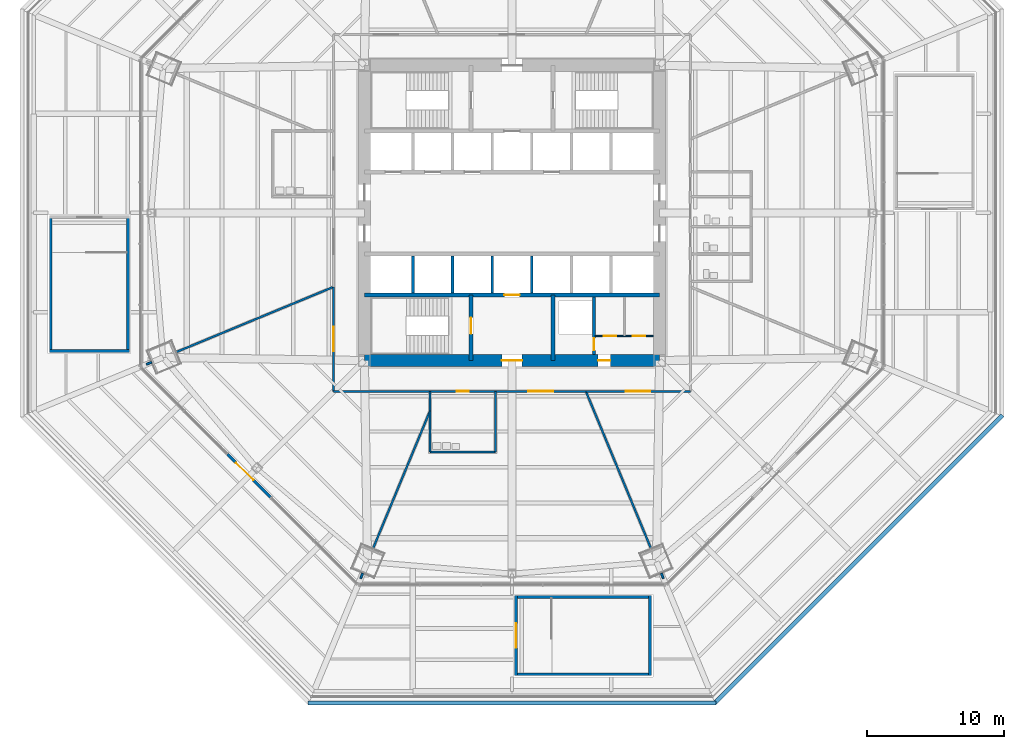
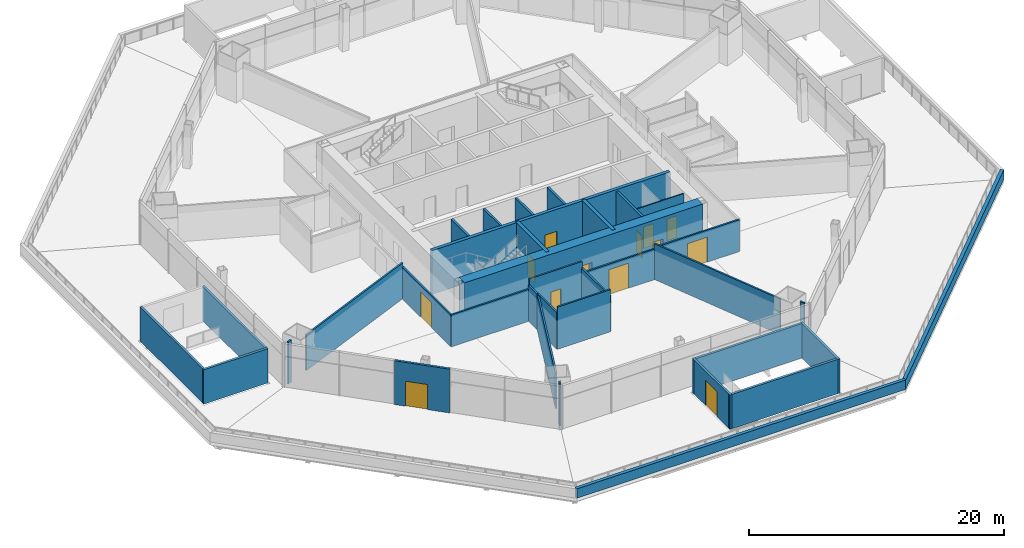
# One storey, part 15 of 25: 35 walls, 13 doors, 13 openings.
"""IFC4 building model written with IfcOpenShell, lengths in metres."""

from ifc_helpers import new_model, si_unit, direction, frame, frame_2d, origin, place, context, subcontext, project, spatial, rectangle, extrude, material, layer, layer_set, type_object, element, fill, save


model = new_model("IFC4")

# Units and contexts
model_context = context("Model", 3, precision=1e-05, world=origin(), true_north=direction((0.0, 1.0)))
body_context = subcontext(model_context, "Body", "Model", "MODEL_VIEW")
ifc_project = project(units=[si_unit("LENGTHUNIT", "METRE"), si_unit("AREAUNIT", "SQUARE_METRE"), si_unit("VOLUMEUNIT", "CUBIC_METRE"), si_unit("PLANEANGLEUNIT", "RADIAN"), si_unit("MASSUNIT", "GRAM", prefix="KILO")], contexts=[model_context])

# Site, building, storey
site_placement = place(None, origin())
site = spatial("IfcSite", under=ifc_project, at=site_placement, CompositionType="ELEMENT")
building_placement = place(site_placement, origin())
building = spatial("IfcBuilding", under=site, at=building_placement, Name="Mashrafa Tower", CompositionType="ELEMENT")
storey_placement = place(building_placement, frame((0.0, 0.0, 28.800048828125)))
storey = spatial("IfcBuildingStorey", under=building, at=storey_placement, Name="L05", CompositionType="ELEMENT", Elevation=28.800048828125)

# Wall, opening, door
ifc_material_1 = material(Name="Concrete masonry unit", Category="masonry")
ifc_layer_1 = layer(ifc_material_1, 0.199951171875)
ifc_layer_set_1 = layer_set([ifc_layer_1], Name="Blockwork wall 200 2 hr")
wall_type_1 = type_object("IfcWallType", Name="Blockwork wall 200 2 hr", PredefinedType="PARTITIONING", material=ifc_layer_set_1)
wall_1_placement = place(storey_placement, frame((6.0, -10.35009765625, 0.0), z_axis=(0.0, 0.0, 1.0), x_axis=(0.0, 1.0, 0.0)))
wall_1 = element("IfcWall", 1, at=wall_1_placement, inside=storey, type_object=wall_type_1, Name="Riser enclosure wall L05", PredefinedType="PARTITIONING", context=body_context, shape_type="SweptSolid", body=[
    extrude(rectangle(XDim=4.2001953125, YDim=0.199951171875, at=frame_2d((2.10009765625, 0.0))), origin(), (0.0, 0.0, 1.0), 4.034912109375),
])
opening_1_placement = place(wall_1_placement, frame((0.300048828125, 0.0, 0.0)))
opening_1 = element("IfcOpeningElement", 2, at=opening_1_placement, cuts=wall_1, Name="Opening 05.025", PredefinedType="OPENING", context=body_context, shape_type="SweptSolid", body=[
    extrude(rectangle(XDim=0.89990234375, YDim=2.10009765625, at=frame_2d((0.449951171875, 1.050048828125))), frame((0.0, 0.10986328125, 0.0), z_axis=(0.0, -1.0, 0.0), x_axis=(1.0, 0.0, 0.0)), (0.0, 0.0, 1.0), 0.219970703125),
])
ifc_material_2 = material(Name="Steel door", Category="steel")
door_type_1 = type_object("IfcDoorType", Name="Service door 900 x 2100 90 min", OperationType="USERDEFINED", PredefinedType="DOOR", material=ifc_material_2)
door_1_placement = place(opening_1_placement, origin())
door_1 = element("IfcDoor", 3, at=door_1_placement, inside=storey, type_object=door_type_1, Name="Riser door L05", OperationType="SINGLE_SWING_LEFT", OverallHeight=2.10009765625, OverallWidth=0.89990234375, PredefinedType="DOOR", context=body_context, shape_type="SweptSolid", body=[
    extrude(rectangle(XDim=0.89990234375, YDim=2.10009765625, at=frame_2d((0.449951171875, 1.050048828125))), frame((0.0, 0.02490234375, 0.0), z_axis=(0.0, -1.0, 0.0), x_axis=(1.0, 0.0, 0.0)), (0.0, 0.0, 1.0), 0.050048828125),
])
fill(opening_1, door_1)

ifc_material_3 = material(Name="Concrete C60/75", Category="concrete")
ifc_layer_2 = layer(ifc_material_3, 0.300048828125)
ifc_layer_set_2 = layer_set([ifc_layer_2], Name="Core wall 300 C60/75")
wall_type_2 = type_object("IfcWallType", Name="Core wall 300 C60/75", PredefinedType="SOLIDWALL", material=ifc_layer_set_2)
wall_2_placement = place(storey_placement, frame((-10.800048828125, -6.0, 0.0), z_axis=(0.0, 0.0, 1.0), x_axis=(1.0, 0.0, 0.0)))
wall_2 = element("IfcWall", 4, at=wall_2_placement, inside=storey, type_object=wall_type_2, Name="Core wall CB-S L05", PredefinedType="SOLIDWALL", context=body_context, shape_type="SweptSolid", body=[
    extrude(rectangle(XDim=21.60009765625, YDim=0.300048828125, at=frame_2d((10.800048828125, 0.0))), origin(), (0.0, 0.0, 1.0), 4.199951171875),
])
opening_2_placement = place(wall_2_placement, frame((10.25, 0.0, 0.0)))
opening_2 = element("IfcOpeningElement", 5, at=opening_2_placement, cuts=wall_2, Name="Opening 05.F2", PredefinedType="OPENING", context=body_context, shape_type="SweptSolid", body=[
    extrude(rectangle(XDim=1.10009765625, YDim=2.10009765625, at=frame_2d((0.550048828125, 1.050048828125))), frame((0.0, 0.159912109375, 0.0), z_axis=(0.0, -1.0, 0.0), x_axis=(1.0, 0.0, 0.0)), (0.0, 0.0, 1.0), 0.320068359375),
])
ifc_material_4 = material(Name="Steel door", Category="steel")
door_type_2 = type_object("IfcDoorType", Name="Lift landing door 1100 x 2100 90 min", OperationType="DOUBLE_DOOR_SLIDING", PredefinedType="DOOR", material=ifc_material_4)
door_2_placement = place(opening_2_placement, origin())
door_2 = element("IfcDoor", 6, at=door_2_placement, inside=storey, type_object=door_type_2, Name="Lift landing door F2 L05", OperationType="DOUBLE_DOOR_SLIDING", OverallHeight=2.10009765625, OverallWidth=1.10009765625, PredefinedType="DOOR", context=body_context, shape_type="SweptSolid", body=[
    extrude(rectangle(XDim=1.10009765625, YDim=2.10009765625, at=frame_2d((0.550048828125, 1.050048828125))), frame((0.0, 0.02490234375, 0.0), z_axis=(0.0, -1.0, 0.0), x_axis=(1.0, 0.0, 0.0)), (0.0, 0.0, 1.0), 0.050048828125),
])
fill(opening_2, door_2)

wall_3_placement = place(storey_placement, frame((-3.0, -6.0, 0.0), z_axis=(0.0, 0.0, 1.0), x_axis=(0.0, -1.0, 0.0)))
wall_3 = element("IfcWall", 7, at=wall_3_placement, inside=storey, type_object=wall_type_2, Name="Core wall CX-SW L05", PredefinedType="SOLIDWALL", context=body_context, shape_type="SweptSolid", body=[
    extrude(rectangle(XDim=4.800048828125, YDim=0.300048828125, at=frame_2d((2.39990234375, 0.0))), origin(), (0.0, 0.0, 1.0), 4.199951171875),
])
opening_3_placement = place(wall_3_placement, frame((1.64990234375, 0.0, 0.0)))
opening_3 = element("IfcOpeningElement", 8, at=opening_3_placement, cuts=wall_3, Name="Opening 05.023", PredefinedType="OPENING", context=body_context, shape_type="SweptSolid", body=[
    extrude(rectangle(XDim=1.199951171875, YDim=2.10009765625, at=frame_2d((0.60009765625, 1.050048828125))), frame((0.0, 0.159912109375, 0.0), z_axis=(0.0, -1.0, 0.0), x_axis=(1.0, 0.0, 0.0)), (0.0, 0.0, 1.0), 0.320068359375),
])
ifc_material_5 = material(Name="Steel door", Category="steel")
door_type_3 = type_object("IfcDoorType", Name="Stair door 1200 x 2100 90 min", OperationType="USERDEFINED", PredefinedType="DOOR", material=ifc_material_5)
door_3_placement = place(opening_3_placement, frame((1.199951171875, 0.0, 0.0), z_axis=(0.0, 0.0, 1.0), x_axis=(-1.0, 0.0, 0.0)))
door_3 = element("IfcDoor", 9, at=door_3_placement, inside=storey, type_object=door_type_3, Name="Stair S3 door L05", OperationType="SINGLE_SWING_RIGHT", OverallHeight=2.10009765625, OverallWidth=1.199951171875, PredefinedType="DOOR", context=body_context, shape_type="SweptSolid", body=[
    extrude(rectangle(XDim=1.199951171875, YDim=2.10009765625, at=frame_2d((0.60009765625, 1.050048828125))), frame((0.0, 0.02490234375, 0.0), z_axis=(0.0, -1.0, 0.0), x_axis=(1.0, 0.0, 0.0)), (0.0, 0.0, 1.0), 0.050048828125),
])
fill(opening_3, door_3)

# Wall
wall_4_placement = place(storey_placement, frame((3.0, -6.0, 0.0), z_axis=(0.0, 0.0, 1.0), x_axis=(0.0, -1.0, 0.0)))
element("IfcWall", 10, at=wall_4_placement, inside=storey, type_object=wall_type_2, Name="Core wall CX-SE L05", PredefinedType="SOLIDWALL", context=body_context, shape_type="SweptSolid", body=[
    extrude(rectangle(XDim=4.800048828125, YDim=0.300048828125, at=frame_2d((2.39990234375, 0.0))), origin(), (0.0, 0.0, 1.0), 4.199951171875),
])

# Wall, openings, doors
ifc_material_6 = material(Name="Concrete C60/75", Category="concrete")
ifc_layer_3 = layer(ifc_material_6, 0.89990234375)
ifc_layer_set_3 = layer_set([ifc_layer_3], Name="Core wall 900 C60/75")
wall_type_3 = type_object("IfcWallType", Name="Core wall 900 C60/75", PredefinedType="SOLIDWALL", material=ifc_layer_set_3)
wall_5_placement = place(storey_placement, frame((-10.800048828125, -10.800048828125, 0.0), z_axis=(0.0, 0.0, 1.0), x_axis=(1.0, 0.0, 0.0)))
wall_5 = element("IfcWall", 11, at=wall_5_placement, inside=storey, type_object=wall_type_3, Name="Core wall CW-S L05", PredefinedType="SOLIDWALL", context=body_context, shape_type="SweptSolid", body=[
    extrude(rectangle(XDim=21.60009765625, YDim=0.89990234375, at=frame_2d((10.800048828125, 0.0))), origin(), (0.0, 0.0, 1.0), 4.199951171875),
])
opening_4_placement = place(wall_5_placement, frame((10.050048828125, 0.0, 0.0)))
opening_4 = element("IfcOpeningElement", 12, at=opening_4_placement, cuts=wall_5, Name="Opening 05.020", PredefinedType="OPENING", context=body_context, shape_type="SweptSolid", body=[
    extrude(rectangle(XDim=1.5, YDim=2.10009765625, at=frame_2d((0.75, 1.050048828125))), frame((0.0, 0.4599609375, 0.0), z_axis=(0.0, -1.0, 0.0), x_axis=(1.0, 0.0, 0.0)), (0.0, 0.0, 1.0), 0.919921875),
])
opening_5_placement = place(wall_5_placement, frame((17.10009765625, 0.0, 0.0)))
opening_5 = element("IfcOpeningElement", 13, at=opening_5_placement, cuts=wall_5, Name="Opening 05.024", PredefinedType="OPENING", context=body_context, shape_type="SweptSolid", body=[
    extrude(rectangle(XDim=0.89990234375, YDim=2.10009765625, at=frame_2d((0.449951171875, 1.050048828125))), frame((0.0, 0.4599609375, 0.0), z_axis=(0.0, -1.0, 0.0), x_axis=(1.0, 0.0, 0.0)), (0.0, 0.0, 1.0), 0.919921875),
])
ifc_material_7 = material(Name="Steel door", Category="steel")
door_type_4 = type_object("IfcDoorType", Name="Lobby door pair 1500 x 2100 90 min", OperationType="DOUBLE_DOOR_SINGLE_SWING", PredefinedType="DOOR", material=ifc_material_7)
door_4_placement = place(opening_4_placement, origin())
door_4 = element("IfcDoor", 14, at=door_4_placement, inside=storey, type_object=door_type_4, Name="Fire-fighting lobby F2 door L05", OperationType="DOUBLE_DOOR_SINGLE_SWING", OverallHeight=2.10009765625, OverallWidth=1.5, PredefinedType="DOOR", context=body_context, shape_type="SweptSolid", body=[
    extrude(rectangle(XDim=1.5, YDim=2.10009765625, at=frame_2d((0.75, 1.050048828125))), frame((0.0, 0.02490234375, 0.0), z_axis=(0.0, -1.0, 0.0), x_axis=(1.0, 0.0, 0.0)), (0.0, 0.0, 1.0), 0.050048828125),
])
fill(opening_4, door_4)
door_5_placement = place(opening_5_placement, frame((0.89990234375, 0.0, 0.0), z_axis=(0.0, 0.0, 1.0), x_axis=(-1.0, 0.0, 0.0)))
door_5 = element("IfcDoor", 15, at=door_5_placement, inside=storey, type_object=door_type_1, Name="Services Lobby L05 door", OperationType="SINGLE_SWING_LEFT", OverallHeight=2.10009765625, OverallWidth=0.89990234375, PredefinedType="DOOR", context=body_context, shape_type="SweptSolid", body=[
    extrude(rectangle(XDim=0.89990234375, YDim=2.10009765625, at=frame_2d((0.449951171875, 1.050048828125))), frame((0.0, 0.02490234375, 0.0), z_axis=(0.0, -1.0, 0.0), x_axis=(1.0, 0.0, 0.0)), (0.0, 0.0, 1.0), 0.050048828125),
])
fill(opening_5, door_5)

# Wall, opening, door
ifc_material_8 = material(Name="Gypsum board on steel studs", Category="steel")
ifc_layer_4 = layer(ifc_material_8, 0.14990234375)
ifc_layer_set_4 = layer_set([ifc_layer_4], Name="Corridor partition 150 1 hr")
wall_type_4 = type_object("IfcWallType", Name="Corridor partition 150 1 hr", PredefinedType="PARTITIONING", material=ifc_layer_set_4)
wall_6_placement = place(storey_placement, frame((-1.199951171875, -13.050048828125, 0.0), z_axis=(0.0, 0.0, 1.0), x_axis=(-1.0, 0.0, 0.0)))
wall_6 = element("IfcWall", 16, at=wall_6_placement, inside=storey, type_object=wall_type_4, Name="Corridor wall L05-019", PredefinedType="PARTITIONING", context=body_context, shape_type="SweptSolid", body=[
    extrude(rectangle(XDim=4.800048828125, YDim=0.14990234375, at=frame_2d((2.39990234375, 0.0))), origin(), (0.0, 0.0, 1.0), 4.034912109375),
])
opening_6_placement = place(wall_6_placement, frame((1.949951171875, 0.0, 0.0)))
opening_6 = element("IfcOpeningElement", 17, at=opening_6_placement, cuts=wall_6, Name="Opening 05.006", PredefinedType="OPENING", context=body_context, shape_type="SweptSolid", body=[
    extrude(rectangle(XDim=0.89990234375, YDim=2.10009765625, at=frame_2d((0.449951171875, 1.050048828125))), frame((0.0, 0.0849609375, 0.0), z_axis=(0.0, -1.0, 0.0), x_axis=(1.0, 0.0, 0.0)), (0.0, 0.0, 1.0), 0.169921875),
])
ifc_material_9 = material(Name="Timber door", Category="wood")
door_type_5 = type_object("IfcDoorType", Name="Toilet door 900 x 2100", OperationType="USERDEFINED", PredefinedType="DOOR", material=ifc_material_9)
door_6_placement = place(opening_6_placement, origin())
door_6 = element("IfcDoor", 18, at=door_6_placement, inside=storey, type_object=door_type_5, Name="Ablution Room Women L05 door", OperationType="SINGLE_SWING_LEFT", OverallHeight=2.10009765625, OverallWidth=0.89990234375, PredefinedType="DOOR", context=body_context, shape_type="SweptSolid", body=[
    extrude(rectangle(XDim=0.89990234375, YDim=2.10009765625, at=frame_2d((0.449951171875, 1.050048828125))), frame((0.0, 0.02490234375, 0.0), z_axis=(0.0, -1.0, 0.0), x_axis=(1.0, 0.0, 0.0)), (0.0, 0.0, 1.0), 0.050048828125),
])
fill(opening_6, door_6)

wall_7_placement = place(storey_placement, frame((-1.200927734375, -13.050048828125, 0.0), z_axis=(0.0, 0.0, 1.0), x_axis=(1.0, 0.0, 0.0)))
wall_7 = element("IfcWall", 19, at=wall_7_placement, inside=storey, type_object=wall_type_4, Name="Corridor wall L05-025", PredefinedType="PARTITIONING", context=body_context, shape_type="SweptSolid", body=[
    extrude(rectangle(XDim=6.607421875, YDim=0.14990234375, at=frame_2d((3.3037109375, 0.0))), origin(), (0.0, 0.0, 1.0), 2.925048828125),
])
opening_7_placement = place(wall_7_placement, frame((2.40380859375, 0.0, 0.0)))
opening_7 = element("IfcOpeningElement", 20, at=opening_7_placement, cuts=wall_7, Name="Opening 05.008", PredefinedType="OPENING", context=body_context, shape_type="SweptSolid", body=[
    extrude(rectangle(XDim=1.800048828125, YDim=2.39990234375, at=frame_2d((0.89990234375, 1.199951171875))), frame((0.0, 0.0849609375, 0.0), z_axis=(0.0, -1.0, 0.0), x_axis=(1.0, 0.0, 0.0)), (0.0, 0.0, 1.0), 0.169921875),
])
ifc_material_10 = material(Name="Timber door", Category="wood")
door_type_6 = type_object("IfcDoorType", Name="Door pair 1800 x 2400", OperationType="DOUBLE_DOOR_SINGLE_SWING", PredefinedType="DOOR", material=ifc_material_10)
door_7_placement = place(opening_7_placement, origin())
door_7 = element("IfcDoor", 21, at=door_7_placement, inside=storey, type_object=door_type_6, Name="Prayer Room Women L05 door", OperationType="DOUBLE_DOOR_SINGLE_SWING", OverallHeight=2.39990234375, OverallWidth=1.800048828125, PredefinedType="DOOR", context=body_context, shape_type="SweptSolid", body=[
    extrude(rectangle(XDim=1.800048828125, YDim=2.39990234375, at=frame_2d((0.89990234375, 1.199951171875))), frame((0.0, 0.02490234375, 0.0), z_axis=(0.0, -1.0, 0.0), x_axis=(1.0, 0.0, 0.0)), (0.0, 0.0, 1.0), 0.050048828125),
])
fill(opening_7, door_7)

wall_8_placement = place(storey_placement, frame((-13.050048828125, -5.404296875, 0.0), z_axis=(0.0, 0.0, 1.0), x_axis=(0.0, -1.0, 0.0)))
wall_8 = element("IfcWall", 22, at=wall_8_placement, inside=storey, type_object=wall_type_4, Name="Corridor wall L05-033", PredefinedType="PARTITIONING", context=body_context, shape_type="SweptSolid", body=[
    extrude(rectangle(XDim=7.645751953125, YDim=0.14990234375, at=frame_2d((3.82275390625, 0.0))), origin(), (0.0, 0.0, 1.0), 3.06494140625),
])
opening_8_placement = place(wall_8_placement, frame((2.9228515625, 0.0, 0.0)))
opening_8 = element("IfcOpeningElement", 23, at=opening_8_placement, cuts=wall_8, Name="Opening 05.013", PredefinedType="OPENING", context=body_context, shape_type="SweptSolid", body=[
    extrude(rectangle(XDim=1.800048828125, YDim=2.39990234375, at=frame_2d((0.89990234375, 1.199951171875))), frame((0.0, 0.0849609375, 0.0), z_axis=(0.0, -1.0, 0.0), x_axis=(1.0, 0.0, 0.0)), (0.0, 0.0, 1.0), 0.169921875),
])
door_8_placement = place(opening_8_placement, frame((1.800048828125, 0.0, 0.0), z_axis=(0.0, 0.0, 1.0), x_axis=(-1.0, 0.0, 0.0)))
door_8 = element("IfcDoor", 24, at=door_8_placement, inside=storey, type_object=door_type_6, Name="Winter Garden Reading Room South-West L05 door", OperationType="DOUBLE_DOOR_SINGLE_SWING", OverallHeight=2.39990234375, OverallWidth=1.800048828125, PredefinedType="DOOR", context=body_context, shape_type="SweptSolid", body=[
    extrude(rectangle(XDim=1.800048828125, YDim=2.39990234375, at=frame_2d((0.89990234375, 1.199951171875))), frame((0.0, 0.02490234375, 0.0), z_axis=(0.0, -1.0, 0.0), x_axis=(1.0, 0.0, 0.0)), (0.0, 0.0, 1.0), 0.050048828125),
])
fill(opening_8, door_8)

# Wall
wall_9_placement = place(storey_placement, frame((-13.050048828125, -13.050048828125, 0.0), z_axis=(0.0, 0.0, 1.0), x_axis=(1.0, 0.0, 0.0)))
element("IfcWall", 25, at=wall_9_placement, inside=storey, type_object=wall_type_4, Name="Corridor wall L05-034", PredefinedType="PARTITIONING", context=body_context, shape_type="SweptSolid", body=[
    extrude(rectangle(XDim=7.051025390625, YDim=0.14990234375, at=frame_2d((3.525390625, 0.0))), origin(), (0.0, 0.0, 1.0), 3.06494140625),
])

# Wall, opening, door
wall_10_placement = place(storey_placement, frame((5.404296875, -13.050048828125, 0.0), z_axis=(0.0, 0.0, 1.0), x_axis=(1.0, 0.0, 0.0)))
wall_10 = element("IfcWall", 26, at=wall_10_placement, inside=storey, type_object=wall_type_4, Name="Corridor wall L05-035", PredefinedType="PARTITIONING", context=body_context, shape_type="SweptSolid", body=[
    extrude(rectangle(XDim=7.645751953125, YDim=0.14990234375, at=frame_2d((3.82275390625, 0.0))), origin(), (0.0, 0.0, 1.0), 3.06494140625),
])
opening_9_placement = place(wall_10_placement, frame((2.9228515625, 0.0, 0.0)))
opening_9 = element("IfcOpeningElement", 27, at=opening_9_placement, cuts=wall_10, Name="Opening 05.014", PredefinedType="OPENING", context=body_context, shape_type="SweptSolid", body=[
    extrude(rectangle(XDim=1.800048828125, YDim=2.39990234375, at=frame_2d((0.89990234375, 1.199951171875))), frame((0.0, 0.0849609375, 0.0), z_axis=(0.0, -1.0, 0.0), x_axis=(1.0, 0.0, 0.0)), (0.0, 0.0, 1.0), 0.169921875),
])
door_9_placement = place(opening_9_placement, frame((1.800048828125, 0.0, 0.0), z_axis=(0.0, 0.0, 1.0), x_axis=(-1.0, 0.0, 0.0)))
door_9 = element("IfcDoor", 28, at=door_9_placement, inside=storey, type_object=door_type_6, Name="Winter Garden Reading Room South-East L05 door", OperationType="DOUBLE_DOOR_SINGLE_SWING", OverallHeight=2.39990234375, OverallWidth=1.800048828125, PredefinedType="DOOR", context=body_context, shape_type="SweptSolid", body=[
    extrude(rectangle(XDim=1.800048828125, YDim=2.39990234375, at=frame_2d((0.89990234375, 1.199951171875))), frame((0.0, 0.02490234375, 0.0), z_axis=(0.0, -1.0, 0.0), x_axis=(1.0, 0.0, 0.0)), (0.0, 0.0, 1.0), 0.050048828125),
])
fill(opening_9, door_9)

ifc_material_11 = material(Name="Bronze-framed glazed screen")
ifc_layer_5 = layer(ifc_material_11, 0.199951171875)
ifc_layer_set_5 = layer_set([ifc_layer_5], Name="Glazed door screen 200")
wall_type_5 = type_object("IfcWallType", Name="Glazed door screen 200", PredefinedType="SOLIDWALL", material=ifc_layer_set_5)
wall_11_placement = place(storey_placement, frame((-20.81787109375, -17.648681640625, 0.0), z_axis=(0.0, 0.0, 1.0), x_axis=(0.707106781187, -0.707106781187, 0.0)))
wall_11 = element("IfcWall", 29, at=wall_11_placement, inside=storey, type_object=wall_type_5, Name="Glazed garden door screen L05 south-west", PredefinedType="SOLIDWALL", context=body_context, shape_type="SweptSolid", body=[
    extrude(rectangle(XDim=4.48193359375, YDim=0.199951171875, at=frame_2d((2.240966796875, 0.0))), origin(), (0.0, 0.0, 1.0), 4.199951171875),
])
opening_10_placement = place(wall_11_placement, frame((0.89111328125, 0.0, 0.0)))
opening_10 = element("IfcOpeningElement", 30, at=opening_10_placement, cuts=wall_11, Name="Opening ED4", PredefinedType="OPENING", context=body_context, shape_type="SweptSolid", body=[
    extrude(rectangle(XDim=1.800048828125, YDim=2.39990234375, at=frame_2d((0.89990234375, 1.199951171875))), frame((0.0, 0.10986328125, 0.0), z_axis=(0.0, -1.0, 0.0), x_axis=(1.0, 0.0, 0.0)), (0.0, 0.0, 1.0), 0.219970703125),
])
ifc_material_12 = material(Name="Aluminium-framed glazed door", Category="aluminium")
door_type_7 = type_object("IfcDoorType", Name="Garden door pair 1800 x 2400", OperationType="DOUBLE_DOOR_SINGLE_SWING", PredefinedType="DOOR", material=ifc_material_12)
door_10_placement = place(opening_10_placement, origin())
door_10 = element("IfcDoor", 31, at=door_10_placement, inside=storey, type_object=door_type_7, Name="Garden door L05 south-west", OperationType="SINGLE_SWING_LEFT", OverallHeight=2.39990234375, OverallWidth=1.800048828125, PredefinedType="DOOR", context=body_context, shape_type="SweptSolid", body=[
    extrude(rectangle(XDim=1.800048828125, YDim=2.39990234375, at=frame_2d((0.89990234375, 1.199951171875))), frame((0.0, 0.02490234375, 0.0), z_axis=(0.0, -1.0, 0.0), x_axis=(1.0, 0.0, 0.0)), (0.0, 0.0, 1.0), 0.050048828125),
])
fill(opening_10, door_10)

# Walls
ifc_material_13 = material(Name="Limestone-clad parapet", Category="masonry")
ifc_layer_6 = layer(ifc_material_13, 0.300048828125)
ifc_layer_set_6 = layer_set([ifc_layer_6], Name="Limestone parapet 300")
wall_type_6 = type_object("IfcWallType", Name="Limestone parapet 300", PredefinedType="PARAPET", material=ifc_layer_set_6)
wall_12_placement = place(storey_placement, frame((-14.91162109375, -35.85009765625, 0.0), z_axis=(0.0, 0.0, 1.0), x_axis=(1.0, 0.0, 0.0)))
element("IfcWall", 32, at=wall_12_placement, inside=storey, type_object=wall_type_6, Name="Parapet L05 south", PredefinedType="PARAPET", context=body_context, shape_type="SweptSolid", body=[
    extrude(rectangle(XDim=29.8232421875, YDim=0.300048828125, at=frame_2d((14.91162109375, 0.0))), origin(), (0.0, 0.0, 1.0), 0.89990234375),
])
wall_13_placement = place(storey_placement, frame((14.8056640625, -35.89404296875, 0.0), z_axis=(0.0, 0.0, 1.0), x_axis=(0.707106781187, 0.707106781187, 0.0)))
element("IfcWall", 33, at=wall_13_placement, inside=storey, type_object=wall_type_6, Name="Parapet L05 south-east", PredefinedType="PARAPET", context=body_context, shape_type="SweptSolid", body=[
    extrude(rectangle(XDim=29.823486328125, YDim=0.300048828125, at=frame_2d((14.91162109375, 0.0))), origin(), (0.0, 0.0, 1.0), 0.89990234375),
])

# Wall, openings, doors
ifc_material_14 = material(Name="Gypsum board on steel studs", Category="steel")
ifc_layer_7 = layer(ifc_material_14, 0.10009765625)
ifc_layer_set_7 = layer_set([ifc_layer_7], Name="Partition 100 1 hr")
wall_type_7 = type_object("IfcWallType", Name="Partition 100 1 hr", PredefinedType="PARTITIONING", material=ifc_layer_set_7)
wall_14_placement = place(storey_placement, frame((6.10009765625, -9.0, 0.0), z_axis=(0.0, 0.0, 1.0), x_axis=(1.0, 0.0, 0.0)))
wall_14 = element("IfcWall", 34, at=wall_14_placement, inside=storey, type_object=wall_type_7, Name="Services lobby partition A L05", PredefinedType="PARTITIONING", context=body_context, shape_type="SweptSolid", body=[
    extrude(rectangle(XDim=4.25, YDim=0.10009765625, at=frame_2d((2.125, 0.0))), origin(), (0.0, 0.0, 1.0), 4.034912109375),
])
opening_11_placement = place(wall_14_placement, frame((0.612548828125, 0.0, 0.0)))
opening_11 = element("IfcOpeningElement", 35, at=opening_11_placement, cuts=wall_14, Name="Opening 05.026", PredefinedType="OPENING", context=body_context, shape_type="SweptSolid", body=[
    extrude(rectangle(XDim=0.89990234375, YDim=2.10009765625, at=frame_2d((0.449951171875, 1.050048828125))), frame((0.0, 0.06005859375, 0.0), z_axis=(0.0, -1.0, 0.0), x_axis=(1.0, 0.0, 0.0)), (0.0, 0.0, 1.0), 0.1201171875),
])
opening_12_placement = place(wall_14_placement, frame((2.737548828125, 0.0, 0.0)))
opening_12 = element("IfcOpeningElement", 36, at=opening_12_placement, cuts=wall_14, Name="Opening 05.027", PredefinedType="OPENING", context=body_context, shape_type="SweptSolid", body=[
    extrude(rectangle(XDim=0.89990234375, YDim=2.10009765625, at=frame_2d((0.449951171875, 1.050048828125))), frame((0.0, 0.06005859375, 0.0), z_axis=(0.0, -1.0, 0.0), x_axis=(1.0, 0.0, 0.0)), (0.0, 0.0, 1.0), 0.1201171875),
])
ifc_material_15 = material(Name="Timber door", Category="wood")
door_type_8 = type_object("IfcDoorType", Name="Store door 900 x 2100", OperationType="USERDEFINED", PredefinedType="DOOR", material=ifc_material_15)
door_11_placement = place(opening_11_placement, origin())
door_11 = element("IfcDoor", 37, at=door_11_placement, inside=storey, type_object=door_type_8, Name="Fitness Equipment Store L05 door", OperationType="SINGLE_SWING_RIGHT", OverallHeight=2.10009765625, OverallWidth=0.89990234375, PredefinedType="DOOR", context=body_context, shape_type="SweptSolid", body=[
    extrude(rectangle(XDim=0.89990234375, YDim=2.10009765625, at=frame_2d((0.449951171875, 1.050048828125))), frame((0.0, 0.02490234375, 0.0), z_axis=(0.0, -1.0, 0.0), x_axis=(1.0, 0.0, 0.0)), (0.0, 0.0, 1.0), 0.050048828125),
])
fill(opening_11, door_11)
door_12_placement = place(opening_12_placement, origin())
door_12 = element("IfcDoor", 38, at=door_12_placement, inside=storey, type_object=door_type_8, Name="Building Services Store L05 door", OperationType="SINGLE_SWING_LEFT", OverallHeight=2.10009765625, OverallWidth=0.89990234375, PredefinedType="DOOR", context=body_context, shape_type="SweptSolid", body=[
    extrude(rectangle(XDim=0.89990234375, YDim=2.10009765625, at=frame_2d((0.449951171875, 1.050048828125))), frame((0.0, 0.02490234375, 0.0), z_axis=(0.0, -1.0, 0.0), x_axis=(1.0, 0.0, 0.0)), (0.0, 0.0, 1.0), 0.050048828125),
])
fill(opening_12, door_12)

# Walls
ifc_material_16 = material(Name="Gypsum board on steel studs", Category="steel")
ifc_layer_8 = layer(ifc_material_16, 0.14990234375)
ifc_layer_set_8 = layer_set([ifc_layer_8], Name="Partition 150")
wall_type_8 = type_object("IfcWallType", Name="Partition 150", PredefinedType="PARTITIONING", material=ifc_layer_set_8)
wall_15_placement = place(storey_placement, frame((-6.0, -14.482666015625, 0.0), z_axis=(0.0, 0.0, 1.0), x_axis=(0.0, -1.0, 0.0)))
element("IfcWall", 39, at=wall_15_placement, inside=storey, type_object=wall_type_8, Name="Partition wall L05-020", PredefinedType="PARTITIONING", context=body_context, shape_type="SweptSolid", body=[
    extrude(rectangle(XDim=3.017333984375, YDim=0.14990234375, at=frame_2d((1.5087890625, 0.0))), origin(), (0.0, 0.0, 1.0), 3.49658203125),
])
wall_16_placement = place(storey_placement, frame((-6.0, -17.5, 0.0), z_axis=(0.0, 0.0, 1.0), x_axis=(1.0, 0.0, 0.0)))
element("IfcWall", 40, at=wall_16_placement, inside=storey, type_object=wall_type_8, Name="Partition wall L05-021", PredefinedType="PARTITIONING", context=body_context, shape_type="SweptSolid", body=[
    extrude(rectangle(XDim=4.800048828125, YDim=0.14990234375, at=frame_2d((2.39990234375, 0.0))), origin(), (0.0, 0.0, 1.0), 4.034912109375),
])
wall_17_placement = place(storey_placement, frame((-1.199951171875, -17.5, 0.0), z_axis=(0.0, 0.0, 1.0), x_axis=(0.0, 1.0, 0.0)))
element("IfcWall", 41, at=wall_17_placement, inside=storey, type_object=wall_type_8, Name="Partition wall L05-022", PredefinedType="PARTITIONING", context=body_context, shape_type="SweptSolid", body=[
    extrude(rectangle(XDim=4.449951171875, YDim=0.14990234375, at=frame_2d((2.22509765625, 0.0))), origin(), (0.0, 0.0, 1.0), 3.425537109375),
])
wall_18_placement = place(storey_placement, frame((-6.0, -13.050048828125, 0.0), z_axis=(0.0, 0.0, 1.0), x_axis=(0.0, -1.0, 0.0)))
element("IfcWall", 42, at=wall_18_placement, inside=storey, type_object=wall_type_8, Name="Partition wall L05-023", PredefinedType="PARTITIONING", context=body_context, shape_type="SweptSolid", body=[
    extrude(rectangle(XDim=1.437744140625, YDim=0.14990234375, at=frame_2d((0.71875, 0.0))), origin(), (0.0, 0.0, 1.0), 3.425537109375),
])
wall_19_placement = place(storey_placement, frame((-26.75, -11.080078125, 0.0), z_axis=(0.0, 0.0, 1.0), x_axis=(0.924060348039, 0.382246613042, 0.0)))
element("IfcWall", 43, at=wall_19_placement, inside=storey, type_object=wall_type_8, Name="Partition wall L05-039", PredefinedType="PARTITIONING", context=body_context, shape_type="SweptSolid", body=[
    extrude(rectangle(XDim=0.41015625, YDim=0.14990234375, at=frame_2d((0.205078125, 0.0))), origin(), (0.0, 0.0, 1.0), 4.034912109375),
])
wall_20_placement = place(storey_placement, frame((-24.553466796875, -10.17041015625, 0.0), z_axis=(0.0, 0.0, 1.0), x_axis=(0.923878940705, 0.382684861109, 0.0)))
element("IfcWall", 44, at=wall_20_placement, inside=storey, type_object=wall_type_8, Name="Partition wall L05-040", PredefinedType="PARTITIONING", context=body_context, shape_type="SweptSolid", body=[
    extrude(rectangle(XDim=12.451171875, YDim=0.14990234375, at=frame_2d((6.2255859375, 0.0))), origin(), (0.0, 0.0, 1.0), 3.4228515625),
])
wall_21_placement = place(storey_placement, frame((-6.0, -14.4853515625, 0.0), z_axis=(0.0, 0.0, 1.0), x_axis=(-0.382688153647, -0.923877576878, 0.0)))
element("IfcWall", 45, at=wall_21_placement, inside=storey, type_object=wall_type_8, Name="Partition wall L05-041", PredefinedType="PARTITIONING", context=body_context, shape_type="SweptSolid", body=[
    extrude(rectangle(XDim=10.897705078125, YDim=0.14990234375, at=frame_2d((5.44873046875, 0.0))), origin(), (0.0, 0.0, 1.0), 3.4228515625),
])
for number, where, z_axis, x_axis, name in (
    (46, (-10.92333984375, -26.37109375, 0.0), (0.0, 0.0, 1.0), (-0.382246613042, -0.924060348039, 0.0), "Partition wall L05-042"),
    (47, (11.080078125, -26.75, 0.0), (0.0, 0.0, 1.0), (-0.382246613042, 0.924060348039, 0.0), "Partition wall L05-043"),
):
    element("IfcWall", number, at=place(storey_placement, frame(where, z_axis=z_axis, x_axis=x_axis)), inside=storey, type_object=wall_type_8, Name=name, PredefinedType="PARTITIONING", context=body_context, shape_type="SweptSolid", body=[
        extrude(rectangle(XDim=0.41015625, YDim=0.14990234375, at=frame_2d((0.205078125, 0.0))), origin(), (0.0, 0.0, 1.0), 4.034912109375),
    ])
wall_22_placement = place(storey_placement, frame((10.17041015625, -24.553466796875, 0.0), z_axis=(0.0, 0.0, 1.0), x_axis=(-0.382684861109, 0.923878940705, 0.0)))
element("IfcWall", 48, at=wall_22_placement, inside=storey, type_object=wall_type_8, Name="Partition wall L05-044", PredefinedType="PARTITIONING", context=body_context, shape_type="SweptSolid", body=[
    extrude(rectangle(XDim=12.451171875, YDim=0.14990234375, at=frame_2d((6.2255859375, 0.0))), origin(), (0.0, 0.0, 1.0), 3.4228515625),
])
ifc_material_17 = material(Name="Gypsum shaft wall on steel studs", Category="steel")
ifc_layer_9 = layer(ifc_material_17, 0.199951171875)
ifc_layer_set_9 = layer_set([ifc_layer_9], Name="Shaft divider wall 200 2 hr")
wall_type_9 = type_object("IfcWallType", Name="Shaft divider wall 200 2 hr", PredefinedType="PARTITIONING", material=ifc_layer_set_9)
for number, where, z_axis, x_axis, name in (
    (49, (-7.25, -5.85009765625, 0.0), (0.0, 0.0, 1.0), (0.0, 1.0, 0.0), "Shaft divider wall S1 L05"),
    (50, (-4.35009765625, -5.85009765625, 0.0), (0.0, 0.0, 1.0), (0.0, 1.0, 0.0), "Shaft divider wall S2 L05"),
    (51, (-1.449951171875, -5.85009765625, 0.0), (0.0, 0.0, 1.0), (0.0, 1.0, 0.0), "Shaft divider wall S3 L05"),
    (52, (1.449951171875, -5.85009765625, 0.0), (0.0, 0.0, 1.0), (0.0, 1.0, 0.0), "Shaft divider wall S4 L05"),
):
    element("IfcWall", number, at=place(storey_placement, frame(where, z_axis=z_axis, x_axis=x_axis)), inside=storey, type_object=wall_type_9, Name=name, PredefinedType="PARTITIONING", context=body_context, shape_type="SweptSolid", body=[
        extrude(rectangle(XDim=2.7001953125, YDim=0.199951171875, at=frame_2d((1.35009765625, 0.0))), origin(), (0.0, 0.0, 1.0), 4.199951171875),
    ])
ifc_material_18 = material(Name="Concrete C40/50", Category="concrete")
ifc_layer_10 = layer(ifc_material_18, 0.169921875)
ifc_material_19 = material(Name="Limestone facing", Category="masonry")
ifc_layer_11 = layer(ifc_material_19, 0.030029296875)
ifc_layer_set_10 = layer_set([ifc_layer_10, ifc_layer_11], Name="Stair head-house wall 200")
wall_type_10 = type_object("IfcWallType", Name="Stair head-house wall 200", PredefinedType="SOLIDWALL", material=ifc_layer_set_10)
wall_23_placement = place(storey_placement, frame((-33.85009765625, -10.10009765625, 0.0), z_axis=(0.0, 0.0, 1.0), x_axis=(1.0, 0.0, 0.0)))
element("IfcWall", 53, at=wall_23_placement, inside=storey, type_object=wall_type_10, Name="Stair P3 head-house wall south", PredefinedType="SOLIDWALL", context=body_context, shape_type="SweptSolid", body=[
    extrude(rectangle(XDim=5.85009765625, YDim=0.199951171875, at=frame_2d((2.925048828125, 0.0))), origin(), (0.0, 0.0, 1.0), 3.300048828125),
])
for number, where, z_axis, x_axis, name in (
    (54, (-28.10009765625, -10.199951171875, 0.0), (0.0, 0.0, 1.0), (0.0, 1.0, 0.0), "Stair P3 head-house wall east"),
    (55, (-33.75, -0.199951171875, 0.0), (0.0, 0.0, 1.0), (0.0, -1.0, 0.0), "Stair P3 head-house wall west"),
    (56, (0.199951171875, -33.75, 0.0), (0.0, 0.0, 1.0), (1.0, 0.0, 0.0), "Stair P4 head-house wall south"),
):
    element("IfcWall", number, at=place(storey_placement, frame(where, z_axis=z_axis, x_axis=x_axis)), inside=storey, type_object=wall_type_10, Name=name, PredefinedType="SOLIDWALL", context=body_context, shape_type="SweptSolid", body=[
        extrude(rectangle(XDim=10.0, YDim=0.199951171875, at=frame_2d((5.0, 0.0))), origin(), (0.0, 0.0, 1.0), 3.300048828125),
    ])
wall_24_placement = place(storey_placement, frame((10.10009765625, -33.85009765625, 0.0), z_axis=(0.0, 0.0, 1.0), x_axis=(0.0, 1.0, 0.0)))
element("IfcWall", 57, at=wall_24_placement, inside=storey, type_object=wall_type_10, Name="Stair P4 head-house wall east", PredefinedType="SOLIDWALL", context=body_context, shape_type="SweptSolid", body=[
    extrude(rectangle(XDim=5.85009765625, YDim=0.199951171875, at=frame_2d((2.925048828125, 0.0))), origin(), (0.0, 0.0, 1.0), 3.300048828125),
])
wall_25_placement = place(storey_placement, frame((10.199951171875, -28.10009765625, 0.0), z_axis=(0.0, 0.0, 1.0), x_axis=(-1.0, 0.0, 0.0)))
element("IfcWall", 58, at=wall_25_placement, inside=storey, type_object=wall_type_10, Name="Stair P4 head-house wall north", PredefinedType="SOLIDWALL", context=body_context, shape_type="SweptSolid", body=[
    extrude(rectangle(XDim=10.0, YDim=0.199951171875, at=frame_2d((5.0, 0.0))), origin(), (0.0, 0.0, 1.0), 3.300048828125),
])

# Wall, opening, door
wall_26_placement = place(storey_placement, frame((0.300048828125, -28.0, 0.0), z_axis=(0.0, 0.0, 1.0), x_axis=(0.0, -1.0, 0.0)))
wall_26 = element("IfcWall", 59, at=wall_26_placement, inside=storey, type_object=wall_type_10, Name="Stair P4 head-house wall west", PredefinedType="SOLIDWALL", context=body_context, shape_type="SweptSolid", body=[
    extrude(rectangle(XDim=5.85009765625, YDim=0.199951171875, at=frame_2d((2.925048828125, 0.0))), origin(), (0.0, 0.0, 1.0), 3.300048828125),
])
opening_13_placement = place(wall_26_placement, frame((2.02490234375, 0.0, 0.0)))
opening_13 = element("IfcOpeningElement", 60, at=opening_13_placement, cuts=wall_26, Name="Opening ED2", PredefinedType="OPENING", context=body_context, shape_type="SweptSolid", body=[
    extrude(rectangle(XDim=1.800048828125, YDim=2.39990234375, at=frame_2d((0.89990234375, 1.199951171875))), frame((0.0, 0.10986328125, 0.0), z_axis=(0.0, -1.0, 0.0), x_axis=(1.0, 0.0, 0.0)), (0.0, 0.0, 1.0), 0.219970703125),
])
ifc_material_20 = material(Name="Steel exit door", Category="steel")
door_type_9 = type_object("IfcDoorType", Name="Exit discharge door pair 1800 x 2400", OperationType="DOUBLE_DOOR_SINGLE_SWING", PredefinedType="DOOR", material=ifc_material_20)
door_13_placement = place(opening_13_placement, origin())
door_13 = element("IfcDoor", 61, at=door_13_placement, inside=storey, type_object=door_type_9, Name="Stair P4 roof garden exit", OperationType="SINGLE_SWING_LEFT", OverallHeight=2.39990234375, OverallWidth=1.800048828125, PredefinedType="DOOR", context=body_context, shape_type="SweptSolid", body=[
    extrude(rectangle(XDim=1.800048828125, YDim=2.39990234375, at=frame_2d((0.89990234375, 1.199951171875))), frame((0.0, 0.02490234375, 0.0), z_axis=(0.0, -1.0, 0.0), x_axis=(1.0, 0.0, 0.0)), (0.0, 0.0, 1.0), 0.050048828125),
])
fill(opening_13, door_13)

save(model, "model.ifc")
